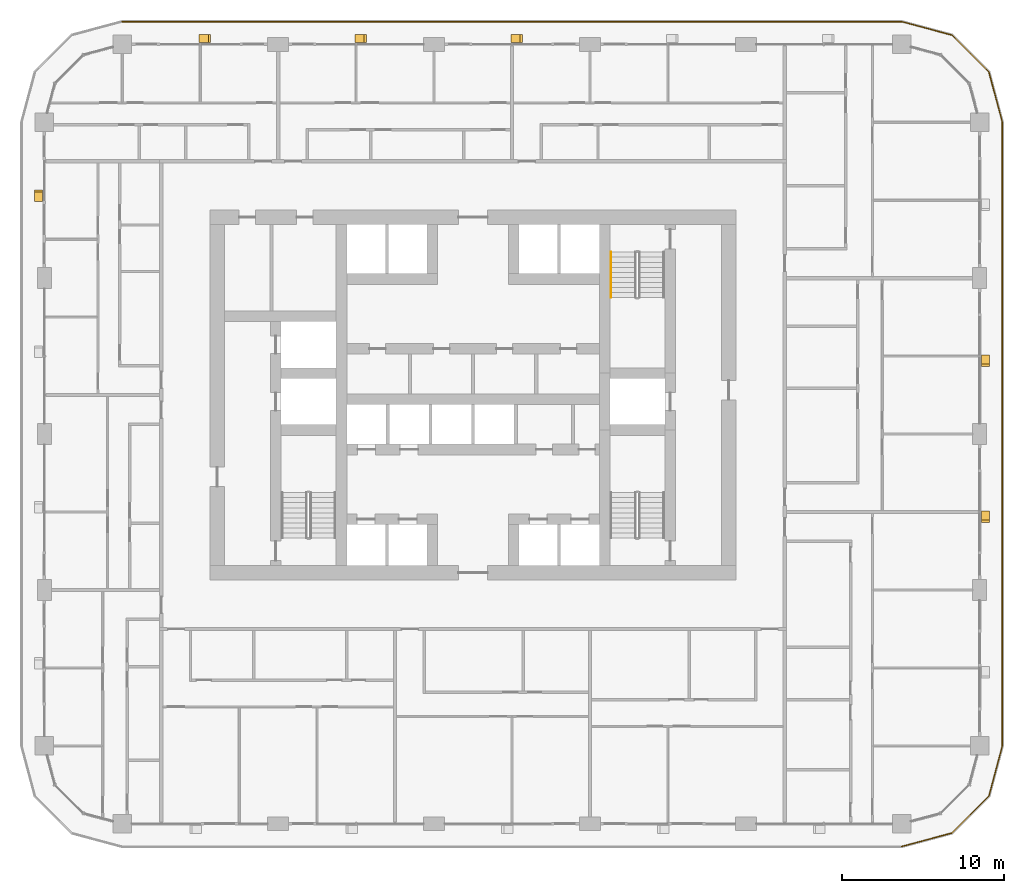
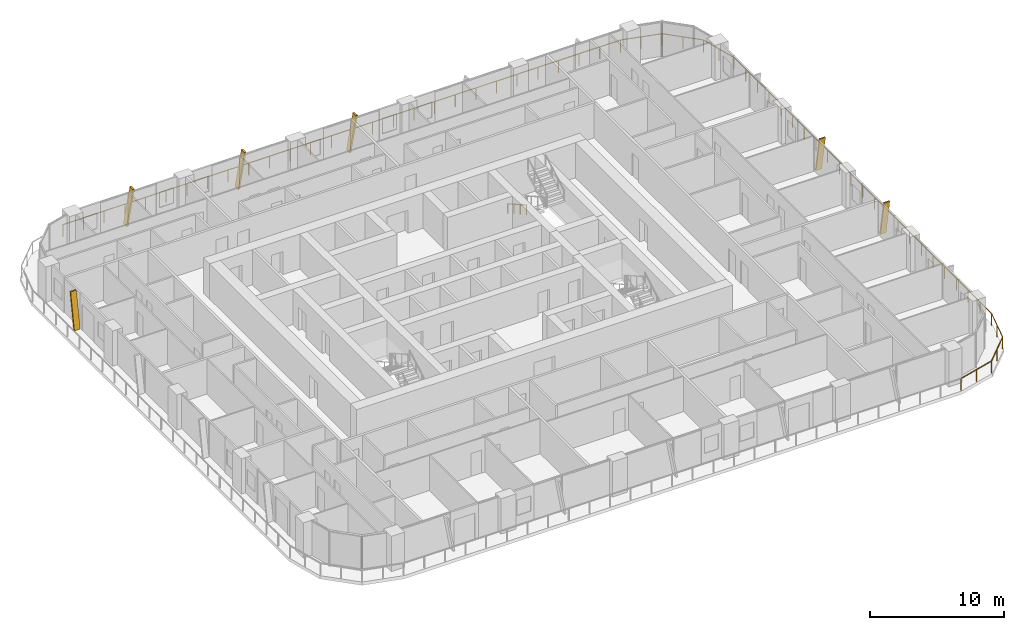
# One storey, part 21 of 22: 6 shading devices, 2 railings.
"""IFC4 building model written with IfcOpenShell, lengths in metres."""

from ifc_helpers import new_model, si_unit, direction, frame, origin, origin_2d, place, context, subcontext, project, spatial, polyline, circle, outline, extrude, material, type_object, element, save


model = new_model("IFC4")

# Units and contexts
model_context = context("Model", 3, precision=1e-05, world=origin(), true_north=direction((0.0, 1.0)))
body_context = subcontext(model_context, "Body", "Model", "MODEL_VIEW")
ifc_project = project(units=[si_unit("LENGTHUNIT", "METRE"), si_unit("AREAUNIT", "SQUARE_METRE"), si_unit("VOLUMEUNIT", "CUBIC_METRE"), si_unit("PLANEANGLEUNIT", "RADIAN"), si_unit("MASSUNIT", "GRAM", prefix="KILO")], contexts=[model_context])

# Site, building, storey
site_placement = place(None, origin())
site = spatial("IfcSite", under=ifc_project, at=site_placement, CompositionType="ELEMENT")
building_placement = place(site_placement, origin())
building = spatial("IfcBuilding", under=site, at=building_placement, Name="Madar Terraces", CompositionType="ELEMENT")
storey_placement = place(building_placement, frame((0.0, 0.0, 69.800048828125)))
storey = spatial("IfcBuildingStorey", under=building, at=storey_placement, Name="L17", CompositionType="ELEMENT", Elevation=69.800048828125)

# Railing
ifc_material_1 = material(Name="Glass, safety glazing, with stainless steel posts", Category="steel")
railing_type_1 = type_object("IfcRailingType", Name="Balcony glass guard 1100", PredefinedType="GUARDRAIL", material=ifc_material_1)
railing_1_placement = place(storey_placement, frame((57.60009765625, -1.39990234375, 0.0)))
element("IfcRailing", 1, at=railing_1_placement, inside=storey, type_object=railing_type_1, Name="Balcony guard", PredefinedType="GUARDRAIL", context=body_context, shape_type="SweptSolid", body=[
    extrude(circle(Radius=0.02392578125, at=origin_2d()), frame((0.0, 0.0, 1.076171875), z_axis=(0.965928696102, 0.258808334578, 0.0), x_axis=(-0.258808334578, 0.965928696102, 0.0)), (0.0, 0.0, 1.0), 3.209228515625),
    extrude(circle(Radius=0.02392578125, at=origin_2d()), frame((3.099853515625, 0.83056640625, 1.076171875), z_axis=(0.707144815061, 0.707068745266, 0.0), x_axis=(-0.707068745266, 0.707144815061, 0.0)), (0.0, 0.0, 1.0), 3.20947265625),
    extrude(circle(Radius=0.02392578125, at=origin_2d()), frame((5.369384765625, 3.099853515625, 1.076171875), z_axis=(0.258789317819, 0.9659337912, 0.0), x_axis=(-0.9659337912, 0.258789317819, 0.0)), (0.0, 0.0, 1.0), 3.20947265625),
    extrude(circle(Radius=0.02392578125, at=origin_2d()), frame((6.199951171875, 6.199951171875, 1.076171875), z_axis=(0.0, 1.0, 0.0), x_axis=(-1.0, 0.0, 0.0)), (0.0, 0.0, 1.0), 38.39990234375),
    extrude(circle(Radius=0.02392578125, at=origin_2d()), frame((6.199951171875, 44.599853515625, 1.076171875), z_axis=(-0.258789317819, 0.9659337912, 0.0), x_axis=(-0.9659337912, -0.258789317819, 0.0)), (0.0, 0.0, 1.0), 3.20947265625),
    extrude(circle(Radius=0.02392578125, at=origin_2d()), frame((5.369384765625, 47.699951171875, 1.076171875), z_axis=(-0.707144815061, 0.707068745266, 0.0), x_axis=(-0.707068745266, -0.707144815061, 0.0)), (0.0, 0.0, 1.0), 3.20947265625),
    extrude(circle(Radius=0.02392578125, at=origin_2d()), frame((3.099853515625, 49.96923828125, 1.076171875), z_axis=(-0.965928696102, 0.258808334578, 0.0), x_axis=(-0.258808334578, -0.965928696102, 0.0)), (0.0, 0.0, 1.0), 3.209228515625),
    extrude(circle(Radius=0.02392578125, at=origin_2d()), frame((0.0, 50.7998046875, 1.076171875), z_axis=(-1.0, 0.0, 0.0), x_axis=(0.0, -1.0, 0.0)), (0.0, 0.0, 1.0), 48.0),
    extrude(circle(Radius=0.02099609375, at=origin_2d()), origin(), (0.0, 0.0, 1.0), 1.052001953125),
    extrude(circle(Radius=0.02099609375, at=origin_2d()), frame((1.5498046875, 0.415283203125, 0.0)), (0.0, 0.0, 1.0), 1.052001953125),
    extrude(circle(Radius=0.02099609375, at=origin_2d()), frame((3.099853515625, 0.83056640625, 0.0)), (0.0, 0.0, 1.0), 1.052001953125),
    extrude(circle(Radius=0.02099609375, at=origin_2d()), frame((4.234619140625, 1.96533203125, 0.0)), (0.0, 0.0, 1.0), 1.052001953125),
    extrude(circle(Radius=0.02099609375, at=origin_2d()), frame((5.369384765625, 3.099853515625, 0.0)), (0.0, 0.0, 1.0), 1.052001953125),
    extrude(circle(Radius=0.02099609375, at=origin_2d()), frame((5.78466796875, 4.64990234375, 0.0)), (0.0, 0.0, 1.0), 1.052001953125),
    extrude(circle(Radius=0.02099609375, at=origin_2d()), frame((6.199951171875, 6.199951171875, 0.0)), (0.0, 0.0, 1.0), 1.052001953125),
    extrude(circle(Radius=0.02099609375, at=origin_2d()), frame((6.199951171875, 7.9453125, 0.0)), (0.0, 0.0, 1.0), 1.052001953125),
    extrude(circle(Radius=0.02099609375, at=origin_2d()), frame((6.199951171875, 9.69091796875, 0.0)), (0.0, 0.0, 1.0), 1.052001953125),
    extrude(circle(Radius=0.02099609375, at=origin_2d()), frame((6.199951171875, 11.436279296875, 0.0)), (0.0, 0.0, 1.0), 1.052001953125),
    extrude(circle(Radius=0.02099609375, at=origin_2d()), frame((6.199951171875, 13.181640625, 0.0)), (0.0, 0.0, 1.0), 1.052001953125),
    extrude(circle(Radius=0.02099609375, at=origin_2d()), frame((6.199951171875, 14.92724609375, 0.0)), (0.0, 0.0, 1.0), 1.052001953125),
    extrude(circle(Radius=0.02099609375, at=origin_2d()), frame((6.199951171875, 16.672607421875, 0.0)), (0.0, 0.0, 1.0), 1.052001953125),
    extrude(circle(Radius=0.02099609375, at=origin_2d()), frame((6.199951171875, 18.418212890625, 0.0)), (0.0, 0.0, 1.0), 1.052001953125),
    extrude(circle(Radius=0.02099609375, at=origin_2d()), frame((6.199951171875, 20.16357421875, 0.0)), (0.0, 0.0, 1.0), 1.052001953125),
    extrude(circle(Radius=0.02099609375, at=origin_2d()), frame((6.199951171875, 21.908935546875, 0.0)), (0.0, 0.0, 1.0), 1.052001953125),
    extrude(circle(Radius=0.02099609375, at=origin_2d()), frame((6.199951171875, 23.654541015625, 0.0)), (0.0, 0.0, 1.0), 1.052001953125),
    extrude(circle(Radius=0.02099609375, at=origin_2d()), frame((6.199951171875, 25.39990234375, 0.0)), (0.0, 0.0, 1.0), 1.052001953125),
    extrude(circle(Radius=0.02099609375, at=origin_2d()), frame((6.199951171875, 27.145263671875, 0.0)), (0.0, 0.0, 1.0), 1.052001953125),
    extrude(circle(Radius=0.02099609375, at=origin_2d()), frame((6.199951171875, 28.890869140625, 0.0)), (0.0, 0.0, 1.0), 1.052001953125),
    extrude(circle(Radius=0.02099609375, at=origin_2d()), frame((6.199951171875, 30.63623046875, 0.0)), (0.0, 0.0, 1.0), 1.052001953125),
    extrude(circle(Radius=0.02099609375, at=origin_2d()), frame((6.199951171875, 32.381591796875, 0.0)), (0.0, 0.0, 1.0), 1.052001953125),
    extrude(circle(Radius=0.02099609375, at=origin_2d()), frame((6.199951171875, 34.127197265625, 0.0)), (0.0, 0.0, 1.0), 1.052001953125),
    extrude(circle(Radius=0.02099609375, at=origin_2d()), frame((6.199951171875, 35.87255859375, 0.0)), (0.0, 0.0, 1.0), 1.052001953125),
    extrude(circle(Radius=0.02099609375, at=origin_2d()), frame((6.199951171875, 37.6181640625, 0.0)), (0.0, 0.0, 1.0), 1.052001953125),
    extrude(circle(Radius=0.02099609375, at=origin_2d()), frame((6.199951171875, 39.363525390625, 0.0)), (0.0, 0.0, 1.0), 1.052001953125),
    extrude(circle(Radius=0.02099609375, at=origin_2d()), frame((6.199951171875, 41.10888671875, 0.0)), (0.0, 0.0, 1.0), 1.052001953125),
    extrude(circle(Radius=0.02099609375, at=origin_2d()), frame((6.199951171875, 42.8544921875, 0.0)), (0.0, 0.0, 1.0), 1.052001953125),
    extrude(circle(Radius=0.02099609375, at=origin_2d()), frame((6.199951171875, 44.599853515625, 0.0)), (0.0, 0.0, 1.0), 1.052001953125),
    extrude(circle(Radius=0.02099609375, at=origin_2d()), frame((5.78466796875, 46.14990234375, 0.0)), (0.0, 0.0, 1.0), 1.052001953125),
    extrude(circle(Radius=0.02099609375, at=origin_2d()), frame((5.369384765625, 47.699951171875, 0.0)), (0.0, 0.0, 1.0), 1.052001953125),
    extrude(circle(Radius=0.02099609375, at=origin_2d()), frame((4.234619140625, 48.83447265625, 0.0)), (0.0, 0.0, 1.0), 1.052001953125),
    extrude(circle(Radius=0.02099609375, at=origin_2d()), frame((3.099853515625, 49.96923828125, 0.0)), (0.0, 0.0, 1.0), 1.052001953125),
    extrude(circle(Radius=0.02099609375, at=origin_2d()), frame((1.5498046875, 50.384521484375, 0.0)), (0.0, 0.0, 1.0), 1.052001953125),
    extrude(circle(Radius=0.02099609375, at=origin_2d()), frame((0.0, 50.7998046875, 0.0)), (0.0, 0.0, 1.0), 1.052001953125),
    extrude(circle(Radius=0.02099609375, at=origin_2d()), frame((-1.77783203125, 50.7998046875, 0.0)), (0.0, 0.0, 1.0), 1.052001953125),
    extrude(circle(Radius=0.02099609375, at=origin_2d()), frame((-3.5556640625, 50.7998046875, 0.0)), (0.0, 0.0, 1.0), 1.052001953125),
    extrude(circle(Radius=0.02099609375, at=origin_2d()), frame((-5.333251953125, 50.7998046875, 0.0)), (0.0, 0.0, 1.0), 1.052001953125),
    extrude(circle(Radius=0.02099609375, at=origin_2d()), frame((-7.111083984375, 50.7998046875, 0.0)), (0.0, 0.0, 1.0), 1.052001953125),
    extrude(circle(Radius=0.02099609375, at=origin_2d()), frame((-8.888916015625, 50.7998046875, 0.0)), (0.0, 0.0, 1.0), 1.052001953125),
    extrude(circle(Radius=0.02099609375, at=origin_2d()), frame((-10.666748046875, 50.7998046875, 0.0)), (0.0, 0.0, 1.0), 1.052001953125),
    extrude(circle(Radius=0.02099609375, at=origin_2d()), frame((-12.4443359375, 50.7998046875, 0.0)), (0.0, 0.0, 1.0), 1.052001953125),
    extrude(circle(Radius=0.02099609375, at=origin_2d()), frame((-14.22216796875, 50.7998046875, 0.0)), (0.0, 0.0, 1.0), 1.052001953125),
    extrude(circle(Radius=0.02099609375, at=origin_2d()), frame((-16.0, 50.7998046875, 0.0)), (0.0, 0.0, 1.0), 1.052001953125),
    extrude(circle(Radius=0.02099609375, at=origin_2d()), frame((-17.77783203125, 50.7998046875, 0.0)), (0.0, 0.0, 1.0), 1.052001953125),
    extrude(circle(Radius=0.02099609375, at=origin_2d()), frame((-19.5556640625, 50.7998046875, 0.0)), (0.0, 0.0, 1.0), 1.052001953125),
    extrude(circle(Radius=0.02099609375, at=origin_2d()), frame((-21.333251953125, 50.7998046875, 0.0)), (0.0, 0.0, 1.0), 1.052001953125),
    extrude(circle(Radius=0.02099609375, at=origin_2d()), frame((-23.111083984375, 50.7998046875, 0.0)), (0.0, 0.0, 1.0), 1.052001953125),
    extrude(circle(Radius=0.02099609375, at=origin_2d()), frame((-24.888916015625, 50.7998046875, 0.0)), (0.0, 0.0, 1.0), 1.052001953125),
    extrude(circle(Radius=0.02099609375, at=origin_2d()), frame((-26.666748046875, 50.7998046875, 0.0)), (0.0, 0.0, 1.0), 1.052001953125),
    extrude(circle(Radius=0.02099609375, at=origin_2d()), frame((-28.4443359375, 50.7998046875, 0.0)), (0.0, 0.0, 1.0), 1.052001953125),
    extrude(circle(Radius=0.02099609375, at=origin_2d()), frame((-30.22216796875, 50.7998046875, 0.0)), (0.0, 0.0, 1.0), 1.052001953125),
    extrude(circle(Radius=0.02099609375, at=origin_2d()), frame((-32.0, 50.7998046875, 0.0)), (0.0, 0.0, 1.0), 1.052001953125),
    extrude(circle(Radius=0.02099609375, at=origin_2d()), frame((-33.77783203125, 50.7998046875, 0.0)), (0.0, 0.0, 1.0), 1.052001953125),
    extrude(circle(Radius=0.02099609375, at=origin_2d()), frame((-35.5556640625, 50.7998046875, 0.0)), (0.0, 0.0, 1.0), 1.052001953125),
    extrude(circle(Radius=0.02099609375, at=origin_2d()), frame((-37.333251953125, 50.7998046875, 0.0)), (0.0, 0.0, 1.0), 1.052001953125),
    extrude(circle(Radius=0.02099609375, at=origin_2d()), frame((-39.111083984375, 50.7998046875, 0.0)), (0.0, 0.0, 1.0), 1.052001953125),
    extrude(circle(Radius=0.02099609375, at=origin_2d()), frame((-40.888916015625, 50.7998046875, 0.0)), (0.0, 0.0, 1.0), 1.052001953125),
    extrude(circle(Radius=0.02099609375, at=origin_2d()), frame((-42.666748046875, 50.7998046875, 0.0)), (0.0, 0.0, 1.0), 1.052001953125),
    extrude(circle(Radius=0.02099609375, at=origin_2d()), frame((-44.4443359375, 50.7998046875, 0.0)), (0.0, 0.0, 1.0), 1.052001953125),
    extrude(circle(Radius=0.02099609375, at=origin_2d()), frame((-46.22216796875, 50.7998046875, 0.0)), (0.0, 0.0, 1.0), 1.052001953125),
    extrude(circle(Radius=0.02099609375, at=origin_2d()), frame((-48.0, 50.7998046875, 0.0)), (0.0, 0.0, 1.0), 1.052001953125),
])

# Shading devices
ifc_material_2 = material(Name="Aluminium, black anodised", Category="aluminium")
shading_device_type = type_object("IfcShadingDeviceType", Name="Facade fin blade 140 x 500", PredefinedType="USERDEFINED", material=ifc_material_2)
for number, where, z_axis, x_axis, name in (
    (2, (62.75, 19.1298828125, 0.0), (0.0, 0.0, 1.0), (0.0, 1.0, 0.0), "FIN L17 E2"),
    (3, (62.75, 28.72998046875, 0.0), (0.0, 0.0, 1.0), (0.0, 1.0, 0.0), "FIN L17 E3"),
):
    element("IfcShadingDevice", number, at=place(storey_placement, frame(where, z_axis=z_axis, x_axis=x_axis)), inside=storey, type_object=shading_device_type, Name=name, ObjectType="FIN", PredefinedType="USERDEFINED", context=body_context, shape_type="SweptSolid", body=[
        extrude(outline(polyline([(0.0, 0.0), (0.14013671875, 0.0), (-0.42431640625, 3.199951171875), (-0.564208984375, 3.199951171875), (0.0, 0.0)])), frame((0.0, 0.25, 0.0), z_axis=(0.0, -1.0, 0.0), x_axis=(1.0, 0.0, 0.0)), (0.0, 0.0, 1.0), 0.5),
    ])
shading_device_1_placement = place(storey_placement, frame((33.669921875, 48.35009765625, 0.0), z_axis=(0.0, 0.0, 1.0), x_axis=(-1.0, 0.0, 0.0)))
element("IfcShadingDevice", 4, at=shading_device_1_placement, inside=storey, type_object=shading_device_type, Name="FIN L17 N3", ObjectType="FIN", PredefinedType="USERDEFINED", context=body_context, shape_type="SweptSolid", body=[
    extrude(outline(polyline([(0.0, 0.0), (0.139892578125, 0.0), (-0.42431640625, 3.199951171875), (-0.564208984375, 3.199951171875), (0.0, 0.0)])), frame((0.0, 0.25, 0.0), z_axis=(0.0, -1.0, 0.0), x_axis=(1.0, 0.0, 0.0)), (0.0, 0.0, 1.0), 0.5),
])
shading_device_2_placement = place(storey_placement, frame((24.070068359375, 48.35009765625, 0.0), z_axis=(0.0, 0.0, 1.0), x_axis=(-1.0, 0.0, 0.0)))
element("IfcShadingDevice", 5, at=shading_device_2_placement, inside=storey, type_object=shading_device_type, Name="FIN L17 N4", ObjectType="FIN", PredefinedType="USERDEFINED", context=body_context, shape_type="SweptSolid", body=[
    extrude(outline(polyline([(0.0, 0.0), (0.14013671875, 0.0), (-0.42431640625, 3.199951171875), (-0.564208984375, 3.199951171875), (0.0, 0.0)])), frame((0.0, 0.25, 0.0), z_axis=(0.0, -1.0, 0.0), x_axis=(1.0, 0.0, 0.0)), (0.0, 0.0, 1.0), 0.5),
])
for number, where, z_axis, x_axis, name in (
    (6, (14.469970703125, 48.35009765625, 0.0), (0.0, 0.0, 1.0), (-1.0, 0.0, 0.0), "FIN L17 N5"),
    (7, (4.449951171875, 38.469970703125, 0.0), (0.0, 0.0, 1.0), (0.0, -1.0, 0.0), "FIN L17 W1"),
):
    element("IfcShadingDevice", number, at=place(storey_placement, frame(where, z_axis=z_axis, x_axis=x_axis)), inside=storey, type_object=shading_device_type, Name=name, ObjectType="FIN", PredefinedType="USERDEFINED", context=body_context, shape_type="SweptSolid", body=[
        extrude(outline(polyline([(0.0, 0.0), (0.139892578125, 0.0), (-0.42431640625, 3.199951171875), (-0.564208984375, 3.199951171875), (0.0, 0.0)])), frame((0.0, 0.25, 0.0), z_axis=(0.0, -1.0, 0.0), x_axis=(1.0, 0.0, 0.0)), (0.0, 0.0, 1.0), 0.5),
    ])

# Railing
ifc_material_3 = material(Name="Stainless steel railing", Category="steel")
railing_type_2 = type_object("IfcRailingType", Name="Stair handrail 900", PredefinedType="HANDRAIL", material=ifc_material_3)
railing_2_placement = place(storey_placement, frame((39.699951171875, 35.199951171875, 0.175048828125)))
element("IfcRailing", 8, at=railing_2_placement, inside=storey, type_object=railing_type_2, Name="L17 ST2 stair handrail 1", PredefinedType="HANDRAIL", context=body_context, shape_type="SweptSolid", body=[
    extrude(circle(Radius=0.02392578125, at=origin_2d()), frame((0.0, 0.0, 0.8759765625), z_axis=(0.0, -0.870833779661, 0.491577591232), x_axis=(1.0, 0.0, 0.0)), (0.0, 0.0, 1.0), 3.203857421875),
    extrude(circle(Radius=0.02099609375, at=origin_2d()), origin(), (0.0, 0.0, 1.0), 0.851806640625),
    extrude(circle(Radius=0.02099609375, at=origin_2d()), frame((0.0, -0.929931640625, 0.52490234375)), (0.0, 0.0, 1.0), 0.851806640625),
    extrude(circle(Radius=0.02099609375, at=origin_2d()), frame((0.0, -1.860107421875, 1.050048828125)), (0.0, 0.0, 1.0), 0.851806640625),
    extrude(circle(Radius=0.02099609375, at=origin_2d()), frame((0.0, -2.7900390625, 1.574951171875)), (0.0, 0.0, 1.0), 0.851806640625),
])

save(model, "model.ifc")
